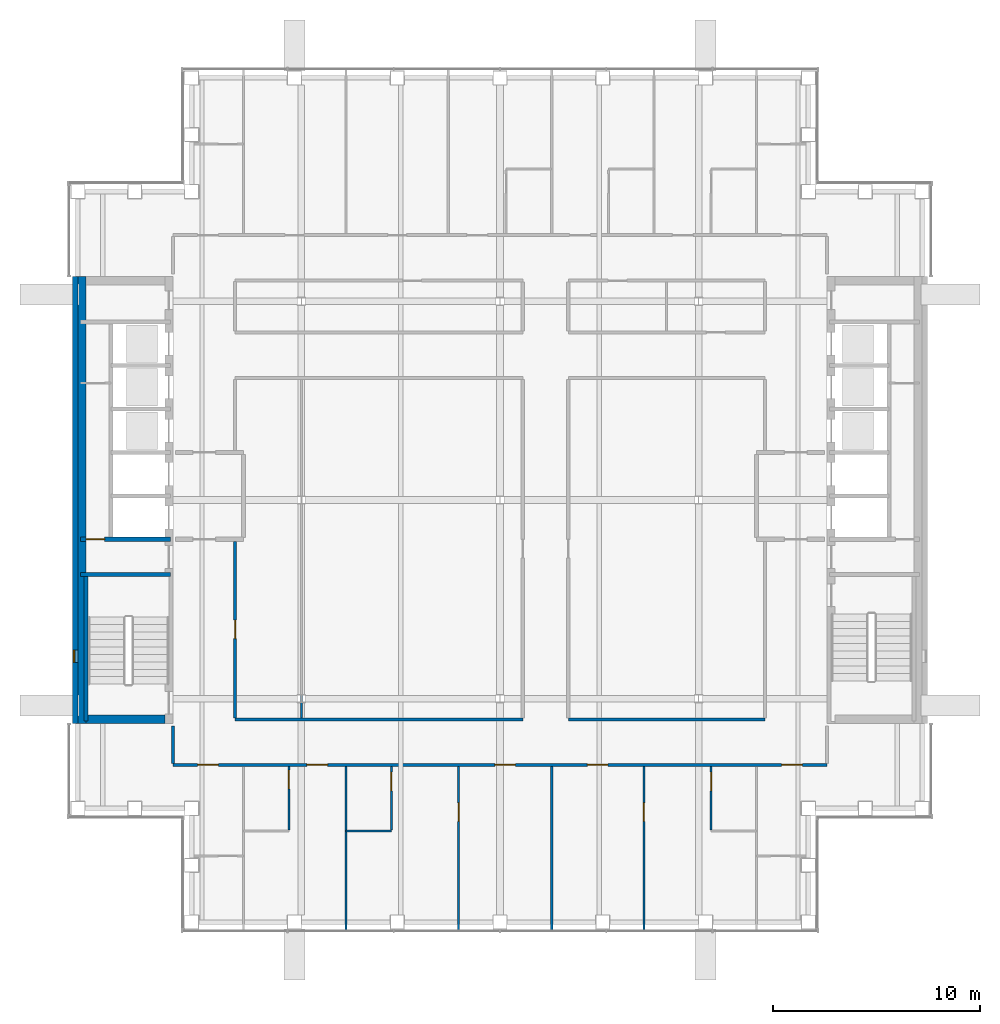
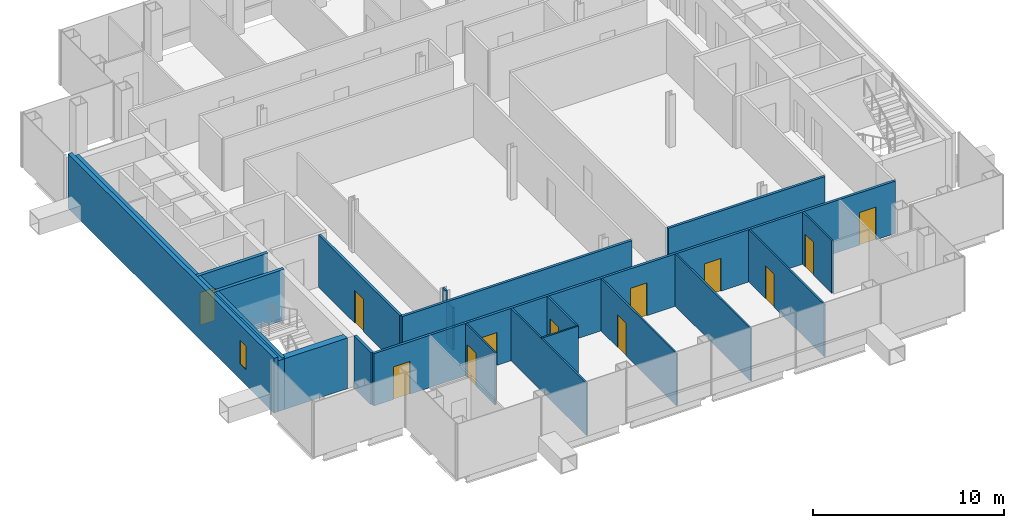
# One storey, part 9 of 14: 21 walls, 12 doors, 1 window, 13 openings.
"""IFC4 building model written with IfcOpenShell, lengths in metres."""

from ifc_helpers import new_model, si_unit, direction, frame, frame_2d, origin, place, context, subcontext, project, spatial, rectangle, extrude, material, layer, layer_set, type_object, element, fill, save


model = new_model("IFC4")

# Units and contexts
model_context = context("Model", 3, precision=1e-05, world=origin(), true_north=direction((0.0, 1.0)))
body_context = subcontext(model_context, "Body", "Model", "MODEL_VIEW")
ifc_project = project(units=[si_unit("LENGTHUNIT", "METRE"), si_unit("AREAUNIT", "SQUARE_METRE"), si_unit("VOLUMEUNIT", "CUBIC_METRE"), si_unit("PLANEANGLEUNIT", "RADIAN"), si_unit("MASSUNIT", "GRAM", prefix="KILO")], contexts=[model_context])

# Site, building, storey
site_placement = place(None, origin())
site = spatial("IfcSite", under=ifc_project, at=site_placement, CompositionType="ELEMENT")
building_placement = place(site_placement, origin())
building = spatial("IfcBuilding", under=site, at=building_placement, Name="Cobrizo Arcos Hotel Tower", CompositionType="ELEMENT")
storey_placement = place(building_placement, frame((0.0, 0.0, 208.5)))
storey = spatial("IfcBuildingStorey", under=building, at=storey_placement, Name="L54", CompositionType="ELEMENT", Elevation=208.5)

# Wall, openings, doors
ifc_material_1 = material(Name="Gypsum board partition")
ifc_layer_1 = layer(ifc_material_1, 0.14990234375)
ifc_layer_set_1 = layer_set([ifc_layer_1], Name="Corridor wall EI 60 150")
wall_type_1 = type_object("IfcWallType", Name="Corridor wall EI 60 150", PredefinedType="PARTITIONING", material=ifc_layer_set_1)
wall_1_placement = place(storey_placement, frame((-15.800048828125, -12.800048828125, 0.0), z_axis=(0.0, 0.0, 1.0), x_axis=(1.0, 0.0, 0.0)))
wall_1 = element("IfcWall", 1, at=wall_1_placement, inside=storey, type_object=wall_type_1, Name="Partition 006", PredefinedType="PARTITIONING", context=body_context, shape_type="SweptSolid", body=[
    extrude(rectangle(XDim=31.60009765625, YDim=0.14990234375, at=frame_2d((15.800048828125, 0.0))), origin(), (0.0, 0.0, 1.0), 3.35009765625),
])
opening_1_placement = place(wall_1_placement, frame((6.466064453125, 0.0, 0.0)))
opening_1 = element("IfcOpeningElement", 2, at=opening_1_placement, cuts=wall_1, Name="Opening GD-04", PredefinedType="OPENING", context=body_context, shape_type="SweptSolid", body=[
    extrude(rectangle(XDim=1.0, YDim=2.10009765625, at=frame_2d((0.5, 1.050048828125))), frame((0.0, 0.0869140625, 0.0), z_axis=(0.0, -1.0, 0.0), x_axis=(1.0, 0.0, 0.0)), (0.0, 0.0, 1.0), 0.173828125),
])
opening_2_placement = place(wall_1_placement, frame((15.548095703125, 0.0, 0.0)))
opening_2 = element("IfcOpeningElement", 3, at=opening_2_placement, cuts=wall_1, Name="Opening GD-05", PredefinedType="OPENING", context=body_context, shape_type="SweptSolid", body=[
    extrude(rectangle(XDim=1.0, YDim=2.10009765625, at=frame_2d((0.5, 1.050048828125))), frame((0.0, 0.0869140625, 0.0), z_axis=(0.0, -1.0, 0.0), x_axis=(1.0, 0.0, 0.0)), (0.0, 0.0, 1.0), 0.173828125),
])
opening_3_placement = place(wall_1_placement, frame((20.01806640625, 0.0, 0.0)))
opening_3 = element("IfcOpeningElement", 4, at=opening_3_placement, cuts=wall_1, Name="Opening GD-06", PredefinedType="OPENING", context=body_context, shape_type="SweptSolid", body=[
    extrude(rectangle(XDim=1.0, YDim=2.10009765625, at=frame_2d((0.5, 1.050048828125))), frame((0.0, 0.0869140625, 0.0), z_axis=(0.0, -1.0, 0.0), x_axis=(1.0, 0.0, 0.0)), (0.0, 0.0, 1.0), 0.173828125),
])
opening_4_placement = place(wall_1_placement, frame((1.19189453125, 0.0, 0.0)))
opening_4 = element("IfcOpeningElement", 5, at=opening_4_placement, cuts=wall_1, Name="Opening GD-07", PredefinedType="OPENING", context=body_context, shape_type="SweptSolid", body=[
    extrude(rectangle(XDim=1.0, YDim=2.10009765625, at=frame_2d((0.5, 1.050048828125))), frame((0.0, 0.0869140625, 0.0), z_axis=(0.0, -1.0, 0.0), x_axis=(1.0, 0.0, 0.0)), (0.0, 0.0, 1.0), 0.173828125),
])
opening_5_placement = place(wall_1_placement, frame((29.408935546875, 0.0, 0.0)))
opening_5 = element("IfcOpeningElement", 6, at=opening_5_placement, cuts=wall_1, Name="Opening GD-09", PredefinedType="OPENING", context=body_context, shape_type="SweptSolid", body=[
    extrude(rectangle(XDim=1.0, YDim=2.10009765625, at=frame_2d((0.5, 1.050048828125))), frame((0.0, 0.0869140625, 0.0), z_axis=(0.0, -1.0, 0.0), x_axis=(1.0, 0.0, 0.0)), (0.0, 0.0, 1.0), 0.173828125),
])
ifc_material_2 = material(Name="Timber door leaf", Category="wood")
door_type_1 = type_object("IfcDoorType", Name="Guest room door FD30S 1000x2100", OperationType="SINGLE_SWING_LEFT", PredefinedType="DOOR", material=ifc_material_2)
door_1_placement = place(opening_1_placement, origin())
door_1 = element("IfcDoor", 7, at=door_1_placement, inside=storey, type_object=door_type_1, Name="Door GD-04", OperationType="SINGLE_SWING_LEFT", OverallHeight=2.10009765625, OverallWidth=1.0, PredefinedType="DOOR", context=body_context, shape_type="SweptSolid", body=[
    extrude(rectangle(XDim=1.0, YDim=2.10009765625, at=frame_2d((0.5, 1.050048828125))), frame((0.0, 0.02490234375, 0.0), z_axis=(0.0, -1.0, 0.0), x_axis=(1.0, 0.0, 0.0)), (0.0, 0.0, 1.0), 0.050048828125),
])
fill(opening_1, door_1)
door_2_placement = place(opening_2_placement, origin())
door_2 = element("IfcDoor", 8, at=door_2_placement, inside=storey, type_object=door_type_1, Name="Door GD-05", OperationType="SINGLE_SWING_RIGHT", OverallHeight=2.10009765625, OverallWidth=1.0, PredefinedType="DOOR", context=body_context, shape_type="SweptSolid", body=[
    extrude(rectangle(XDim=1.0, YDim=2.10009765625, at=frame_2d((0.5, 1.050048828125))), frame((0.0, 0.02490234375, 0.0), z_axis=(0.0, -1.0, 0.0), x_axis=(1.0, 0.0, 0.0)), (0.0, 0.0, 1.0), 0.050048828125),
])
fill(opening_2, door_2)
door_3_placement = place(opening_3_placement, origin())
door_3 = element("IfcDoor", 9, at=door_3_placement, inside=storey, type_object=door_type_1, Name="Door GD-06", OperationType="SINGLE_SWING_LEFT", OverallHeight=2.10009765625, OverallWidth=1.0, PredefinedType="DOOR", context=body_context, shape_type="SweptSolid", body=[
    extrude(rectangle(XDim=1.0, YDim=2.10009765625, at=frame_2d((0.5, 1.050048828125))), frame((0.0, 0.02490234375, 0.0), z_axis=(0.0, -1.0, 0.0), x_axis=(1.0, 0.0, 0.0)), (0.0, 0.0, 1.0), 0.050048828125),
])
fill(opening_3, door_3)
door_4_placement = place(opening_4_placement, origin())
door_4 = element("IfcDoor", 10, at=door_4_placement, inside=storey, type_object=door_type_1, Name="Door GD-07", OperationType="SINGLE_SWING_RIGHT", OverallHeight=2.10009765625, OverallWidth=1.0, PredefinedType="DOOR", context=body_context, shape_type="SweptSolid", body=[
    extrude(rectangle(XDim=1.0, YDim=2.10009765625, at=frame_2d((0.5, 1.050048828125))), frame((0.0, 0.02490234375, 0.0), z_axis=(0.0, -1.0, 0.0), x_axis=(1.0, 0.0, 0.0)), (0.0, 0.0, 1.0), 0.050048828125),
])
fill(opening_4, door_4)
door_5_placement = place(opening_5_placement, origin())
door_5 = element("IfcDoor", 11, at=door_5_placement, inside=storey, type_object=door_type_1, Name="Door GD-09", OperationType="SINGLE_SWING_LEFT", OverallHeight=2.10009765625, OverallWidth=1.0, PredefinedType="DOOR", context=body_context, shape_type="SweptSolid", body=[
    extrude(rectangle(XDim=1.0, YDim=2.10009765625, at=frame_2d((0.5, 1.050048828125))), frame((0.0, 0.02490234375, 0.0), z_axis=(0.0, -1.0, 0.0), x_axis=(1.0, 0.0, 0.0)), (0.0, 0.0, 1.0), 0.050048828125),
])
fill(opening_5, door_5)

# Walls
wall_2_placement = place(storey_placement, frame((-12.800048828125, -10.60009765625, 0.0), z_axis=(0.0, 0.0, 1.0), x_axis=(1.0, 0.0, 0.0)))
element("IfcWall", 12, at=wall_2_placement, inside=storey, type_object=wall_type_1, Name="Partition 007", PredefinedType="PARTITIONING", context=body_context, shape_type="SweptSolid", body=[
    extrude(rectangle(XDim=13.900146484375, YDim=0.14990234375, at=frame_2d((6.9501953125, 0.0))), origin(), (0.0, 0.0, 1.0), 3.35009765625),
])
wall_3_placement = place(storey_placement, frame((3.300048828125, -10.60009765625, 0.0), z_axis=(0.0, 0.0, 1.0), x_axis=(1.0, 0.0, 0.0)))
element("IfcWall", 13, at=wall_3_placement, inside=storey, type_object=wall_type_1, Name="Partition 008", PredefinedType="PARTITIONING", context=body_context, shape_type="SweptSolid", body=[
    extrude(rectangle(XDim=9.5, YDim=0.14990234375, at=frame_2d((4.75, 0.0))), origin(), (0.0, 0.0, 1.0), 3.35009765625),
])
wall_4_placement = place(storey_placement, frame((-15.800048828125, -12.72509765625, 0.0), z_axis=(0.0, 0.0, 1.0), x_axis=(0.0, 1.0, 0.0)))
element("IfcWall", 14, at=wall_4_placement, inside=storey, type_object=wall_type_1, Name="Partition 043", PredefinedType="PARTITIONING", context=body_context, shape_type="SweptSolid", body=[
    extrude(rectangle(XDim=1.80517578125, YDim=0.14990234375, at=frame_2d((0.902587890625, 0.0))), origin(), (0.0, 0.0, 1.0), 3.35009765625),
])

# Wall, opening, door
wall_5_placement = place(storey_placement, frame((-12.800048828125, -10.52490234375, 0.0), z_axis=(0.0, 0.0, 1.0), x_axis=(0.0, 1.0, 0.0)))
wall_5 = element("IfcWall", 15, at=wall_5_placement, inside=storey, type_object=wall_type_1, Name="Partition 045", PredefinedType="PARTITIONING", context=body_context, shape_type="SweptSolid", body=[
    extrude(rectangle(XDim=8.52490234375, YDim=0.14990234375, at=frame_2d((4.262451171875, 0.0))), origin(), (0.0, 0.0, 1.0), 3.35009765625),
])
opening_6_placement = place(wall_5_placement, frame((3.824951171875, 0.0, 0.0)))
opening_6 = element("IfcOpeningElement", 16, at=opening_6_placement, cuts=wall_5, Name="Opening RD-11", PredefinedType="OPENING", context=body_context, shape_type="SweptSolid", body=[
    extrude(rectangle(XDim=0.89990234375, YDim=2.10009765625, at=frame_2d((0.449951171875, 1.050048828125))), frame((0.0, 0.0869140625, 0.0), z_axis=(0.0, -1.0, 0.0), x_axis=(1.0, 0.0, 0.0)), (0.0, 0.0, 1.0), 0.173828125),
])
door_type_2 = type_object("IfcDoorType", Name="Room door FD30 900x2100", OperationType="SINGLE_SWING_LEFT", PredefinedType="DOOR", material=ifc_material_2)
door_6_placement = place(opening_6_placement, origin())
door_6 = element("IfcDoor", 17, at=door_6_placement, inside=storey, type_object=door_type_2, Name="Door RD-11", OperationType="SINGLE_SWING_LEFT", OverallHeight=2.10009765625, OverallWidth=0.89990234375, PredefinedType="DOOR", context=body_context, shape_type="SweptSolid", body=[
    extrude(rectangle(XDim=0.89990234375, YDim=2.10009765625, at=frame_2d((0.449951171875, 1.050048828125))), frame((0.0, 0.02490234375, 0.0), z_axis=(0.0, -1.0, 0.0), x_axis=(1.0, 0.0, 0.0)), (0.0, 0.0, 1.0), 0.050048828125),
])
fill(opening_6, door_6)

# Wall, opening, window
ifc_material_3 = material(Name="Aluminium composite panel pale metal", Category="aluminium")
ifc_layer_2 = layer(ifc_material_3, 0.25)
ifc_layer_set_2 = layer_set([ifc_layer_2], Name="EW-1 insulated panel wall 250")
wall_type_2 = type_object("IfcWallType", Name="EW-1 insulated panel wall 250", PredefinedType="SOLIDWALL", material=ifc_layer_set_2)
wall_6_placement = place(storey_placement, frame((-20.52490234375, 10.800048828125, 0.0), z_axis=(0.0, 0.0, 1.0), x_axis=(0.0, -1.0, 0.0)))
wall_6 = element("IfcWall", 18, at=wall_6_placement, inside=storey, type_object=wall_type_2, Name="Core face wall L54 W", PredefinedType="SOLIDWALL", context=body_context, shape_type="SweptSolid", body=[
    extrude(rectangle(XDim=21.60009765625, YDim=0.25, at=frame_2d((10.800048828125, 0.0))), origin(), (0.0, 0.0, 1.0), 3.5),
])
opening_7_placement = place(wall_6_placement, frame((18.050048828125, 0.0, 1.0)))
opening_7 = element("IfcOpeningElement", 19, at=opening_7_placement, cuts=wall_6, Name="Opening W-122", PredefinedType="OPENING", context=body_context, shape_type="SweptSolid", body=[
    extrude(rectangle(XDim=0.60009765625, YDim=1.5, at=frame_2d((0.300048828125, 0.75))), frame((0.0, 0.136962890625, 0.0), z_axis=(0.0, -1.0, 0.0), x_axis=(1.0, 0.0, 0.0)), (0.0, 0.0, 1.0), 0.27392578125),
])
ifc_material_4 = material(Name="Aluminium 6063-T6 and clear laminated glass", Category="aluminium")
window_type = type_object("IfcWindowType", Name="W-C1 core stair slot window 600x1500", PartitioningType="SINGLE_PANEL", PredefinedType="WINDOW", material=ifc_material_4)
window_placement = place(opening_7_placement, origin())
window = element("IfcWindow", 20, at=window_placement, inside=storey, type_object=window_type, Name="Core face wall L54 W window W-122", OverallHeight=1.5, OverallWidth=0.60009765625, PartitioningType="SINGLE_PANEL", PredefinedType="WINDOW", context=body_context, shape_type="SweptSolid", body=[
    extrude(rectangle(XDim=0.60009765625, YDim=1.5, at=frame_2d((0.300048828125, 0.75))), frame((0.0, -0.034912109375, 0.0), z_axis=(0.0, -1.0, 0.0), x_axis=(1.0, 0.0, 0.0)), (0.0, 0.0, 1.0), 0.06005859375),
])
fill(opening_7, window)

# Wall
ifc_layer_3 = layer(ifc_material_1, 0.10009765625)
ifc_layer_set_3 = layer_set([ifc_layer_3], Name="Partition EI 30 100")
wall_type_3 = type_object("IfcWallType", Name="Partition EI 30 100", PredefinedType="PARTITIONING", material=ifc_layer_set_3)
wall_7_placement = place(storey_placement, frame((-7.449951171875, -16.0, 0.0), z_axis=(0.0, 0.0, 1.0), x_axis=(1.0, 0.0, 0.0)))
element("IfcWall", 21, at=wall_7_placement, inside=storey, type_object=wall_type_3, Name="Partition 004", PredefinedType="PARTITIONING", context=body_context, shape_type="SweptSolid", body=[
    extrude(rectangle(XDim=2.199951171875, YDim=0.10009765625, at=frame_2d((1.10009765625, 0.0))), origin(), (0.0, 0.0, 1.0), 3.35009765625),
])

# Wall, opening, door
wall_8_placement = place(storey_placement, frame((-10.199951171875, -15.949951171875, 0.0), z_axis=(0.0, 0.0, 1.0), x_axis=(0.0, 1.0, 0.0)))
wall_8 = element("IfcWall", 22, at=wall_8_placement, inside=storey, type_object=wall_type_3, Name="Partition 051", PredefinedType="PARTITIONING", context=body_context, shape_type="SweptSolid", body=[
    extrude(rectangle(XDim=3.074951171875, YDim=0.10009765625, at=frame_2d((1.53759765625, 0.0))), origin(), (0.0, 0.0, 1.0), 3.35009765625),
])
opening_8_placement = place(wall_8_placement, frame((1.99609375, 0.0, 0.0)))
opening_8 = element("IfcOpeningElement", 23, at=opening_8_placement, cuts=wall_8, Name="Opening ED-05", PredefinedType="OPENING", context=body_context, shape_type="SweptSolid", body=[
    extrude(rectangle(XDim=0.89990234375, YDim=2.10009765625, at=frame_2d((0.449951171875, 1.050048828125))), frame((0.0, 0.06201171875, 0.0), z_axis=(0.0, -1.0, 0.0), x_axis=(1.0, 0.0, 0.0)), (0.0, 0.0, 1.0), 0.1240234375),
])
door_type_3 = type_object("IfcDoorType", Name="En-suite door 900x2100", OperationType="SINGLE_SWING_LEFT", PredefinedType="DOOR", material=ifc_material_2)
door_7_placement = place(opening_8_placement, origin())
door_7 = element("IfcDoor", 24, at=door_7_placement, inside=storey, type_object=door_type_3, Name="Door ED-05", OperationType="SINGLE_SWING_LEFT", OverallHeight=2.10009765625, OverallWidth=0.89990234375, PredefinedType="DOOR", context=body_context, shape_type="SweptSolid", body=[
    extrude(rectangle(XDim=0.89990234375, YDim=2.10009765625, at=frame_2d((0.449951171875, 1.050048828125))), frame((0.0, 0.02490234375, 0.0), z_axis=(0.0, -1.0, 0.0), x_axis=(1.0, 0.0, 0.0)), (0.0, 0.0, 1.0), 0.050048828125),
])
fill(opening_8, door_7)

# Walls
wall_9_placement = place(storey_placement, frame((-9.60009765625, -10.52490234375, 0.0), z_axis=(0.0, 0.0, 1.0), x_axis=(0.0, 1.0, 0.0)))
element("IfcWall", 25, at=wall_9_placement, inside=storey, type_object=wall_type_3, Name="Partition 052", PredefinedType="PARTITIONING", context=body_context, shape_type="SweptSolid", body=[
    extrude(rectangle(XDim=0.73779296875, YDim=0.10009765625, at=frame_2d((0.368896484375, 0.0))), origin(), (0.0, 0.0, 1.0), 2.72802734375),
])
wall_10_placement = place(storey_placement, frame((-9.60009765625, -9.787109375, 0.0), z_axis=(0.0, 0.0, 1.0), x_axis=(0.0, 1.0, 0.0)))
element("IfcWall", 26, at=wall_10_placement, inside=storey, type_object=wall_type_3, Name="Partition 053", PredefinedType="PARTITIONING", context=body_context, shape_type="SweptSolid", body=[
    extrude(rectangle(XDim=0.3740234375, YDim=0.10009765625, at=frame_2d((0.18701171875, 0.0))), origin(), (0.0, 0.0, 1.0), 3.35009765625),
])
wall_11_placement = place(storey_placement, frame((-7.449951171875, -20.780029296875, 0.0), z_axis=(0.0, 0.0, 1.0), x_axis=(0.0, 1.0, 0.0)))
element("IfcWall", 27, at=wall_11_placement, inside=storey, type_object=wall_type_3, Name="Partition 057", PredefinedType="PARTITIONING", context=body_context, shape_type="SweptSolid", body=[
    extrude(rectangle(XDim=7.905029296875, YDim=0.10009765625, at=frame_2d((3.95263671875, 0.0))), origin(), (0.0, 0.0, 1.0), 3.35009765625),
])

# Wall, opening, door
wall_12_placement = place(storey_placement, frame((-5.25, -15.949951171875, 0.0), z_axis=(0.0, 0.0, 1.0), x_axis=(0.0, 1.0, 0.0)))
wall_12 = element("IfcWall", 28, at=wall_12_placement, inside=storey, type_object=wall_type_3, Name="Partition 059", PredefinedType="PARTITIONING", context=body_context, shape_type="SweptSolid", body=[
    extrude(rectangle(XDim=3.074951171875, YDim=0.10009765625, at=frame_2d((1.53759765625, 0.0))), origin(), (0.0, 0.0, 1.0), 3.35009765625),
])
opening_9_placement = place(wall_12_placement, frame((1.89990234375, 0.0, 0.0)))
opening_9 = element("IfcOpeningElement", 29, at=opening_9_placement, cuts=wall_12, Name="Opening ED-06", PredefinedType="OPENING", context=body_context, shape_type="SweptSolid", body=[
    extrude(rectangle(XDim=0.89990234375, YDim=2.10009765625, at=frame_2d((0.449951171875, 1.050048828125))), frame((0.0, 0.06201171875, 0.0), z_axis=(0.0, -1.0, 0.0), x_axis=(1.0, 0.0, 0.0)), (0.0, 0.0, 1.0), 0.1240234375),
])
door_8_placement = place(opening_9_placement, origin())
door_8 = element("IfcDoor", 30, at=door_8_placement, inside=storey, type_object=door_type_3, Name="Door ED-06", OperationType="SINGLE_SWING_LEFT", OverallHeight=2.10009765625, OverallWidth=0.89990234375, PredefinedType="DOOR", context=body_context, shape_type="SweptSolid", body=[
    extrude(rectangle(XDim=0.89990234375, YDim=2.10009765625, at=frame_2d((0.449951171875, 1.050048828125))), frame((0.0, 0.02490234375, 0.0), z_axis=(0.0, -1.0, 0.0), x_axis=(1.0, 0.0, 0.0)), (0.0, 0.0, 1.0), 0.050048828125),
])
fill(opening_9, door_8)

wall_13_placement = place(storey_placement, frame((-2.0, -20.780029296875, 0.0), z_axis=(0.0, 0.0, 1.0), x_axis=(0.0, 1.0, 0.0)))
wall_13 = element("IfcWall", 31, at=wall_13_placement, inside=storey, type_object=wall_type_3, Name="Partition 061", PredefinedType="PARTITIONING", context=body_context, shape_type="SweptSolid", body=[
    extrude(rectangle(XDim=7.905029296875, YDim=0.10009765625, at=frame_2d((3.95263671875, 0.0))), origin(), (0.0, 0.0, 1.0), 3.35009765625),
])
opening_10_placement = place(wall_13_placement, frame((5.25, 0.0, 0.0)))
opening_10 = element("IfcOpeningElement", 32, at=opening_10_placement, cuts=wall_13, Name="Opening RD-08", PredefinedType="OPENING", context=body_context, shape_type="SweptSolid", body=[
    extrude(rectangle(XDim=0.89990234375, YDim=2.10009765625, at=frame_2d((0.449951171875, 1.050048828125))), frame((0.0, 0.06201171875, 0.0), z_axis=(0.0, -1.0, 0.0), x_axis=(1.0, 0.0, 0.0)), (0.0, 0.0, 1.0), 0.1240234375),
])
door_9_placement = place(opening_10_placement, origin())
door_9 = element("IfcDoor", 33, at=door_9_placement, inside=storey, type_object=door_type_2, Name="Door RD-08", OperationType="SINGLE_SWING_LEFT", OverallHeight=2.10009765625, OverallWidth=0.89990234375, PredefinedType="DOOR", context=body_context, shape_type="SweptSolid", body=[
    extrude(rectangle(XDim=0.89990234375, YDim=2.10009765625, at=frame_2d((0.449951171875, 1.050048828125))), frame((0.0, 0.02490234375, 0.0), z_axis=(0.0, -1.0, 0.0), x_axis=(1.0, 0.0, 0.0)), (0.0, 0.0, 1.0), 0.050048828125),
])
fill(opening_10, door_9)

# Wall
wall_14_placement = place(storey_placement, frame((2.5, -20.780029296875, 0.0), z_axis=(0.0, 0.0, 1.0), x_axis=(0.0, 1.0, 0.0)))
element("IfcWall", 34, at=wall_14_placement, inside=storey, type_object=wall_type_3, Name="Partition 065", PredefinedType="PARTITIONING", context=body_context, shape_type="SweptSolid", body=[
    extrude(rectangle(XDim=7.905029296875, YDim=0.10009765625, at=frame_2d((3.95263671875, 0.0))), origin(), (0.0, 0.0, 1.0), 3.35009765625),
])

# Wall, opening, door
wall_15_placement = place(storey_placement, frame((6.949951171875, -20.780029296875, 0.0), z_axis=(0.0, 0.0, 1.0), x_axis=(0.0, 1.0, 0.0)))
wall_15 = element("IfcWall", 35, at=wall_15_placement, inside=storey, type_object=wall_type_3, Name="Partition 070", PredefinedType="PARTITIONING", context=body_context, shape_type="SweptSolid", body=[
    extrude(rectangle(XDim=7.905029296875, YDim=0.10009765625, at=frame_2d((3.95263671875, 0.0))), origin(), (0.0, 0.0, 1.0), 3.35009765625),
])
opening_11_placement = place(wall_15_placement, frame((5.25, 0.0, 0.0)))
opening_11 = element("IfcOpeningElement", 36, at=opening_11_placement, cuts=wall_15, Name="Opening RD-09", PredefinedType="OPENING", context=body_context, shape_type="SweptSolid", body=[
    extrude(rectangle(XDim=0.89990234375, YDim=2.10009765625, at=frame_2d((0.449951171875, 1.050048828125))), frame((0.0, 0.06201171875, 0.0), z_axis=(0.0, -1.0, 0.0), x_axis=(1.0, 0.0, 0.0)), (0.0, 0.0, 1.0), 0.1240234375),
])
door_10_placement = place(opening_11_placement, origin())
door_10 = element("IfcDoor", 37, at=door_10_placement, inside=storey, type_object=door_type_2, Name="Door RD-09", OperationType="SINGLE_SWING_RIGHT", OverallHeight=2.10009765625, OverallWidth=0.89990234375, PredefinedType="DOOR", context=body_context, shape_type="SweptSolid", body=[
    extrude(rectangle(XDim=0.89990234375, YDim=2.10009765625, at=frame_2d((0.449951171875, 1.050048828125))), frame((0.0, 0.02490234375, 0.0), z_axis=(0.0, -1.0, 0.0), x_axis=(1.0, 0.0, 0.0)), (0.0, 0.0, 1.0), 0.050048828125),
])
fill(opening_11, door_10)

wall_16_placement = place(storey_placement, frame((10.199951171875, -15.949951171875, 0.0), z_axis=(0.0, 0.0, 1.0), x_axis=(0.0, 1.0, 0.0)))
wall_16 = element("IfcWall", 38, at=wall_16_placement, inside=storey, type_object=wall_type_3, Name="Partition 073", PredefinedType="PARTITIONING", context=body_context, shape_type="SweptSolid", body=[
    extrude(rectangle(XDim=3.074951171875, YDim=0.10009765625, at=frame_2d((1.53759765625, 0.0))), origin(), (0.0, 0.0, 1.0), 3.35009765625),
])
opening_12_placement = place(wall_16_placement, frame((1.89990234375, 0.0, 0.0)))
opening_12 = element("IfcOpeningElement", 39, at=opening_12_placement, cuts=wall_16, Name="Opening ED-07", PredefinedType="OPENING", context=body_context, shape_type="SweptSolid", body=[
    extrude(rectangle(XDim=0.89990234375, YDim=2.10009765625, at=frame_2d((0.449951171875, 1.050048828125))), frame((0.0, 0.06201171875, 0.0), z_axis=(0.0, -1.0, 0.0), x_axis=(1.0, 0.0, 0.0)), (0.0, 0.0, 1.0), 0.1240234375),
])
door_11_placement = place(opening_12_placement, origin())
door_11 = element("IfcDoor", 40, at=door_11_placement, inside=storey, type_object=door_type_3, Name="Door ED-07", OperationType="SINGLE_SWING_RIGHT", OverallHeight=2.10009765625, OverallWidth=0.89990234375, PredefinedType="DOOR", context=body_context, shape_type="SweptSolid", body=[
    extrude(rectangle(XDim=0.89990234375, YDim=2.10009765625, at=frame_2d((0.449951171875, 1.050048828125))), frame((0.0, 0.02490234375, 0.0), z_axis=(0.0, -1.0, 0.0), x_axis=(1.0, 0.0, 0.0)), (0.0, 0.0, 1.0), 0.050048828125),
])
fill(opening_12, door_11)

# Walls
ifc_material_5 = material(Name="Concrete f'c 40 MPa", Category="concrete")
ifc_layer_4 = layer(ifc_material_5, 0.39990234375)
ifc_layer_set_4 = layer_set([ifc_layer_4], Name="RC core wall 400 f'c 40")
wall_type_4 = type_object("IfcWallType", Name="RC core wall 400 f'c 40", PredefinedType="SHEAR", material=ifc_layer_set_4)
wall_17_placement = place(storey_placement, frame((-20.199951171875, -10.800048828125, 0.0), z_axis=(0.0, 0.0, 1.0), x_axis=(0.0, 1.0, 0.0)))
element("IfcWall", 41, at=wall_17_placement, inside=storey, type_object=wall_type_4, Name="Core wall CW4, west core, outer face, L54", PredefinedType="SHEAR", context=body_context, shape_type="SweptSolid", body=[
    extrude(rectangle(XDim=21.60009765625, YDim=0.39990234375, at=frame_2d((10.800048828125, 0.0))), origin(), (0.0, 0.0, 1.0), 3.25),
])
wall_18_placement = place(storey_placement, frame((-20.0, -10.60009765625, 0.0), z_axis=(0.0, 0.0, 1.0), x_axis=(1.0, 0.0, 0.0)))
element("IfcWall", 42, at=wall_18_placement, inside=storey, type_object=wall_type_4, Name="Core wall CW4, west core, south end, L54", PredefinedType="SHEAR", context=body_context, shape_type="SweptSolid", body=[
    extrude(rectangle(XDim=3.800048828125, YDim=0.39990234375, at=frame_2d((1.89990234375, 0.0))), origin(), (0.0, 0.0, 1.0), 3.25),
])

# Wall, opening, door
ifc_layer_5 = layer(ifc_material_1, 0.199951171875)
ifc_layer_set_5 = layer_set([ifc_layer_5], Name="Shaft wall EI 120 200")
wall_type_5 = type_object("IfcWallType", Name="Shaft wall EI 120 200", PredefinedType="PARTITIONING", material=ifc_layer_set_5)
wall_19_placement = place(storey_placement, frame((-20.280029296875, -1.89990234375, 0.0), z_axis=(0.0, 0.0, 1.0), x_axis=(1.0, 0.0, 0.0)))
wall_19 = element("IfcWall", 43, at=wall_19_placement, inside=storey, type_object=wall_type_5, Name="Partition 011", PredefinedType="PARTITIONING", context=body_context, shape_type="SweptSolid", body=[
    extrude(rectangle(XDim=4.360107421875, YDim=0.199951171875, at=frame_2d((2.18017578125, 0.0))), origin(), (0.0, 0.0, 1.0), 3.25),
])
opening_13_placement = place(wall_19_placement, frame((0.280029296875, 0.0, 0.0)))
opening_13 = element("IfcOpeningElement", 44, at=opening_13_placement, cuts=wall_19, Name="Opening RD-02", PredefinedType="OPENING", context=body_context, shape_type="SweptSolid", body=[
    extrude(rectangle(XDim=0.89990234375, YDim=2.10009765625, at=frame_2d((0.449951171875, 1.050048828125))), frame((0.0, 0.112060546875, 0.0), z_axis=(0.0, -1.0, 0.0), x_axis=(1.0, 0.0, 0.0)), (0.0, 0.0, 1.0), 0.223876953125),
])
door_12_placement = place(opening_13_placement, origin())
door_12 = element("IfcDoor", 45, at=door_12_placement, inside=storey, type_object=door_type_2, Name="Door RD-02", OperationType="SINGLE_SWING_RIGHT", OverallHeight=2.10009765625, OverallWidth=0.89990234375, PredefinedType="DOOR", context=body_context, shape_type="SweptSolid", body=[
    extrude(rectangle(XDim=0.89990234375, YDim=2.10009765625, at=frame_2d((0.449951171875, 1.050048828125))), frame((0.0, 0.02490234375, 0.0), z_axis=(0.0, -1.0, 0.0), x_axis=(1.0, 0.0, 0.0)), (0.0, 0.0, 1.0), 0.050048828125),
])
fill(opening_13, door_12)

# Walls
ifc_layer_6 = layer(ifc_material_5, 0.199951171875)
ifc_layer_set_6 = layer_set([ifc_layer_6], Name="Stair shaft wall 200")
wall_type_6 = type_object("IfcWallType", Name="Stair shaft wall 200", PredefinedType="SHEAR", material=ifc_layer_set_6)
wall_20_placement = place(storey_placement, frame((-20.280029296875, -3.60009765625, 0.0), z_axis=(0.0, 0.0, 1.0), x_axis=(1.0, 0.0, 0.0)))
element("IfcWall", 46, at=wall_20_placement, inside=storey, type_object=wall_type_6, Name="Stair shaft wall W", PredefinedType="SHEAR", context=body_context, shape_type="SweptSolid", body=[
    extrude(rectangle(XDim=4.360107421875, YDim=0.199951171875, at=frame_2d((2.18017578125, 0.0))), origin(), (0.0, 0.0, 1.0), 3.25),
])
wall_21_placement = place(storey_placement, frame((-20.0, -10.679931640625, 0.0), z_axis=(0.0, 0.0, 1.0), x_axis=(0.0, 1.0, 0.0)))
element("IfcWall", 47, at=wall_21_placement, inside=storey, type_object=wall_type_6, Name="Stair shaft wall W", PredefinedType="SHEAR", context=body_context, shape_type="SweptSolid", body=[
    extrude(rectangle(XDim=6.97998046875, YDim=0.199951171875, at=frame_2d((3.489990234375, 0.0))), origin(), (0.0, 0.0, 1.0), 3.25),
])

save(model, "model.ifc")
